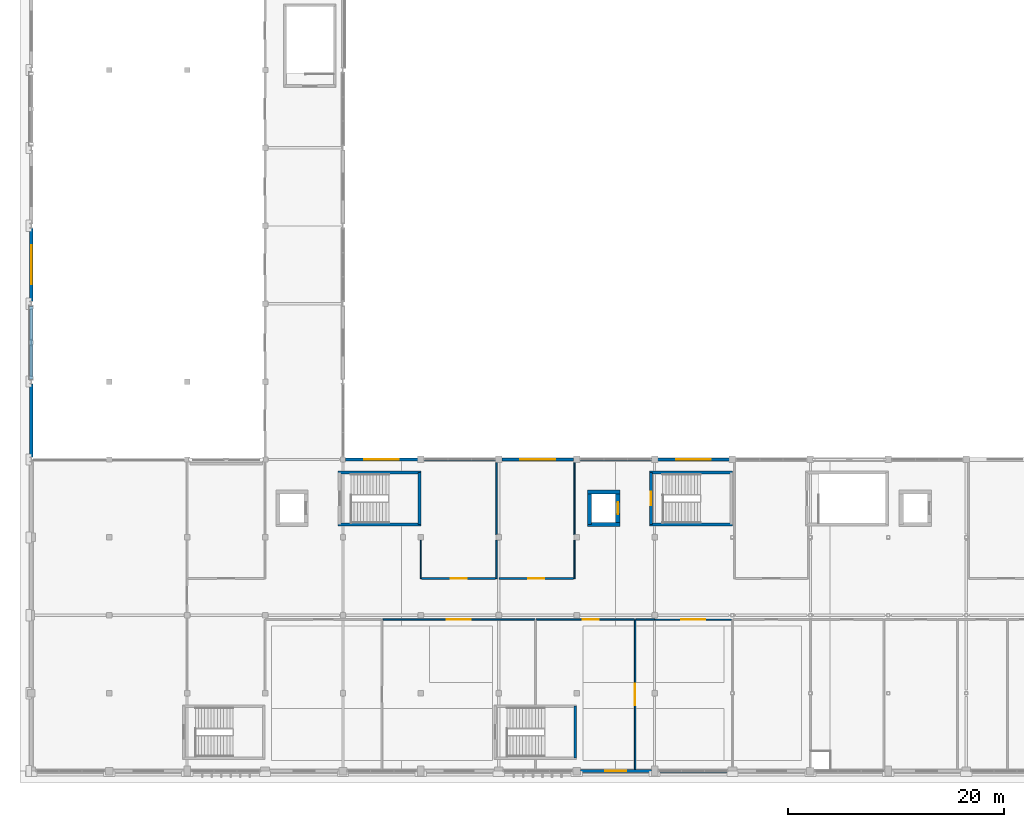
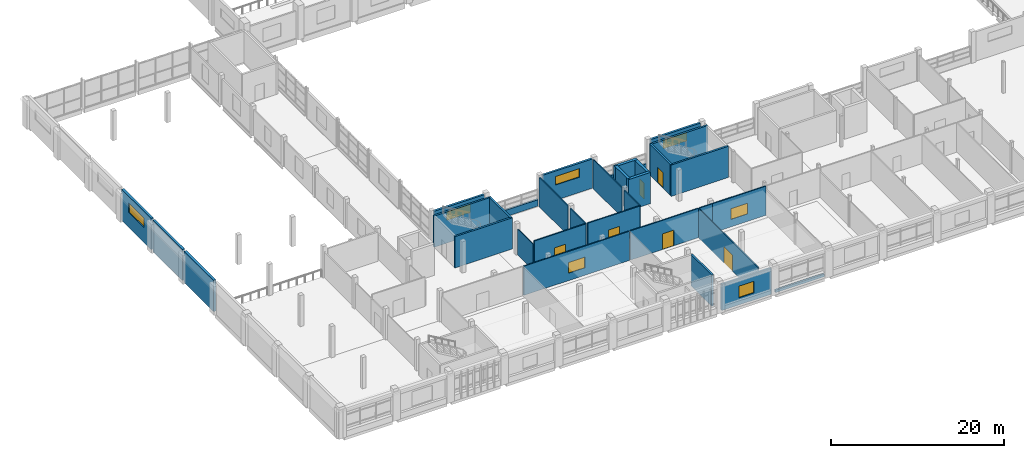
# One storey, part 48 of 71: 33 walls, 7 windows, 6 doors, 13 openings.
"""IFC4 building model written with IfcOpenShell, lengths in metres."""

from ifc_helpers import new_model, si_unit, direction, frame, frame_2d, origin, place, context, subcontext, project, spatial, rectangle, extrude, material, layer, layer_set, type_object, element, fill, save


model = new_model("IFC4")

# Units and contexts
model_context = context("Model", 3, precision=1e-05, world=origin(), true_north=direction((0.0, 1.0)))
body_context = subcontext(model_context, "Body", "Model", "MODEL_VIEW")
ifc_project = project(units=[si_unit("LENGTHUNIT", "METRE"), si_unit("AREAUNIT", "SQUARE_METRE"), si_unit("VOLUMEUNIT", "CUBIC_METRE"), si_unit("PLANEANGLEUNIT", "RADIAN"), si_unit("MASSUNIT", "GRAM", prefix="KILO")], contexts=[model_context])

# Site, building, storey
site_placement = place(None, origin())
site = spatial("IfcSite", under=ifc_project, at=site_placement, CompositionType="ELEMENT")
building_placement = place(site_placement, origin())
building = spatial("IfcBuilding", under=site, at=building_placement, Name="Sardonyx Promenade Sports Hall", CompositionType="ELEMENT")
storey_placement = place(building_placement, frame((0.0, 0.0, 16.0)))
storey = spatial("IfcBuildingStorey", under=building, at=storey_placement, Name="L03", CompositionType="ELEMENT", Elevation=16.0)

# Wall, opening, door
ifc_material_1 = material(Name="Concrete C40/50", Category="concrete")
ifc_layer_1 = layer(ifc_material_1, 0.3798828125)
ifc_layer_set_1 = layer_set([ifc_layer_1], Name="Wall_Core_Shear_380")
wall_type_1 = type_object("IfcWallType", Name="Wall_Core_Shear_380", PredefinedType="SHEAR", material=ifc_layer_set_1)
wall_1_placement = place(storey_placement, frame((54.199951171875, 22.800048828125, 0.0), z_axis=(0.0, 0.0, 1.0), x_axis=(0.0, 1.0, 0.0)))
wall_1 = element("IfcWall", 1, at=wall_1_placement, inside=storey, type_object=wall_type_1, Name="Lift shaft wall LF3 L03 E", PredefinedType="SHEAR", context=body_context, shape_type="SweptSolid", body=[
    extrude(rectangle(XDim=3.0, YDim=0.3798828125, at=frame_2d((1.5, 0.0))), origin(), (0.0, 0.0, 1.0), 4.39990234375),
])
opening_1_placement = place(wall_1_placement, frame((0.949951171875, 0.0, 0.0)))
opening_1 = element("IfcOpeningElement", 2, at=opening_1_placement, cuts=wall_1, Name="Opening LD01", PredefinedType="OPENING", context=body_context, shape_type="SweptSolid", body=[
    extrude(rectangle(XDim=1.10009765625, YDim=2.199951171875, at=frame_2d((0.550048828125, 1.10009765625))), frame((0.0, 0.2, 0.0), z_axis=(0.0, -1.0, 0.0), x_axis=(1.0, 0.0, 0.0)), (0.0, 0.0, 1.0), 0.4),
])
ifc_material_2 = material(Name="Fire-rated stainless steel sliding lift door", Category="steel")
door_type_1 = type_object("IfcDoorType", Name="Door_Lift_Pass_110x220", OperationType="NOTDEFINED", PredefinedType="DOOR", material=ifc_material_2)
door_1_placement = place(opening_1_placement, origin())
door_1 = element("IfcDoor", 3, at=door_1_placement, inside=storey, type_object=door_type_1, Name="Lift landing sliding door LD-LF3-L03", OperationType="SLIDING_TO_LEFT", OverallHeight=2.199951171875, OverallWidth=1.10009765625, PredefinedType="DOOR", context=body_context, shape_type="SweptSolid", body=[
    extrude(rectangle(XDim=1.10009765625, YDim=2.199951171875, at=frame_2d((0.550048828125, 1.10009765625))), frame((0.0, 0.02490234375, 0.0), z_axis=(0.0, -1.0, 0.0), x_axis=(1.0, 0.0, 0.0)), (0.0, 0.0, 1.0), 0.050048828125),
])
fill(opening_1, door_1)

# Walls
wall_2_placement = place(storey_placement, frame((51.409912109375, 25.800048828125, 0.0), z_axis=(0.0, 0.0, 1.0), x_axis=(1.0, 0.0, 0.0)))
element("IfcWall", 4, at=wall_2_placement, inside=storey, type_object=wall_type_1, Name="Lift shaft wall LF3 L03 N", PredefinedType="SHEAR", context=body_context, shape_type="SweptSolid", body=[
    extrude(rectangle(XDim=2.97998046875, YDim=0.3798828125, at=frame_2d((1.489990234375, 0.0))), origin(), (0.0, 0.0, 1.0), 4.39990234375),
])
wall_3_placement = place(storey_placement, frame((51.60009765625, 25.800048828125, 0.0), z_axis=(0.0, 0.0, 1.0), x_axis=(0.0, -1.0, 0.0)))
element("IfcWall", 5, at=wall_3_placement, inside=storey, type_object=wall_type_1, Name="Lift shaft wall LF3 L03 W", PredefinedType="SHEAR", context=body_context, shape_type="SweptSolid", body=[
    extrude(rectangle(XDim=3.0, YDim=0.3798828125, at=frame_2d((1.5, 0.0))), origin(), (0.0, 0.0, 1.0), 4.39990234375),
])
wall_4_placement = place(storey_placement, frame((54.389892578125, 22.800048828125, 0.0), z_axis=(0.0, 0.0, 1.0), x_axis=(-1.0, 0.0, 0.0)))
element("IfcWall", 6, at=wall_4_placement, inside=storey, type_object=wall_type_1, Name="Lift shaft wall LF3 L03 S", PredefinedType="SHEAR", context=body_context, shape_type="SweptSolid", body=[
    extrude(rectangle(XDim=2.97998046875, YDim=0.3798828125, at=frame_2d((1.489990234375, 0.0))), origin(), (0.0, 0.0, 1.0), 4.39990234375),
])
ifc_material_3 = material(Name="Concrete C40/50", Category="concrete")
ifc_layer_2 = layer(ifc_material_3, 0.320068359375)
ifc_layer_set_2 = layer_set([ifc_layer_2], Name="Wall_Ext_Court_320")
wall_type_2 = type_object("IfcWallType", Name="Wall_Ext_Court_320", PredefinedType="SOLIDWALL", material=ifc_layer_set_2)
for number, where, z_axis, x_axis, name in (
    (7, (0.0, 29.0048828125, 0.0), (0.0, 0.0, 1.0), (0.0, 1.0, 0.0), "Exterior wall EW01 L03 #162"),
    (8, (0.0, 36.205078125, 0.0), (0.0, 0.0, 1.0), (0.0, 1.0, 0.0), "Exterior wall EW01 L03 #163"),
):
    element("IfcWall", number, at=place(storey_placement, frame(where, z_axis=z_axis, x_axis=x_axis)), inside=storey, type_object=wall_type_2, Name=name, PredefinedType="SOLIDWALL", context=body_context, shape_type="SweptSolid", body=[
        extrude(rectangle(XDim=6.7900390625, YDim=0.320068359375, at=frame_2d((3.39501953125, 0.0))), origin(), (0.0, 0.0, 1.0), 4.39990234375),
    ])

# Wall, opening, window
wall_5_placement = place(storey_placement, frame((0.0, 43.405029296875, 0.0), z_axis=(0.0, 0.0, 1.0), x_axis=(0.0, 1.0, 0.0)))
wall_5 = element("IfcWall", 9, at=wall_5_placement, inside=storey, type_object=wall_type_2, Name="Exterior wall EW01 L03 #164", PredefinedType="SOLIDWALL", context=body_context, shape_type="SweptSolid", body=[
    extrude(rectangle(XDim=6.7900390625, YDim=0.320068359375, at=frame_2d((3.39501953125, 0.0))), origin(), (0.0, 0.0, 1.0), 4.39990234375),
])
opening_2_placement = place(wall_5_placement, frame((1.594970703125, 0.0, 2.10009765625)))
opening_2 = element("IfcOpeningElement", 10, at=opening_2_placement, cuts=wall_5, Name="Opening W17", PredefinedType="OPENING", context=body_context, shape_type="SweptSolid", body=[
    extrude(rectangle(XDim=3.60009765625, YDim=1.35009765625, at=frame_2d((1.800048828125, 0.675048828125))), frame((0.0, 0.17, 0.0), z_axis=(0.0, -1.0, 0.0), x_axis=(1.0, 0.0, 0.0)), (0.0, 0.0, 1.0), 0.34),
])
ifc_material_4 = material(Name="Double-glazed solar low-E aluminium window", Category="aluminium")
window_type_1 = type_object("IfcWindowType", Name="Win_Clerestory_360x135", PartitioningType="DOUBLE_PANEL_VERTICAL", PredefinedType="WINDOW", material=ifc_material_4)
window_1_placement = place(opening_2_placement, origin())
window_1 = element("IfcWindow", 11, at=window_1_placement, inside=storey, type_object=window_type_1, Name="Facade window W17 L03 #69", OverallHeight=1.35009765625, OverallWidth=3.60009765625, PartitioningType="SINGLE_PANEL", PredefinedType="WINDOW", context=body_context, shape_type="SweptSolid", body=[
    extrude(rectangle(XDim=3.60009765625, YDim=1.35009765625, at=frame_2d((1.800048828125, 0.675048828125))), frame((0.0, 0.030029296875, 0.0), z_axis=(0.0, -1.0, 0.0), x_axis=(1.0, 0.0, 0.0)), (0.0, 0.0, 1.0), 0.06005859375),
])
fill(opening_2, window_1)

# Walls
ifc_material_5 = material(Name="Masonry CMU 15 MPa", Category="masonry")
ifc_layer_3 = layer(ifc_material_5, 0.239990234375)
ifc_layer_set_3 = layer_set([ifc_layer_3], Name="Wall_Ext_Spandrel_240")
wall_type_3 = type_object("IfcWallType", Name="Wall_Ext_Spandrel_240", PredefinedType="SOLIDWALL", material=ifc_layer_set_3)
wall_6_placement = place(storey_placement, frame((64.4150390625, 0.0, 0.0), z_axis=(0.0, 0.0, 1.0), x_axis=(-1.0, 0.0, 0.0)))
element("IfcWall", 12, at=wall_6_placement, inside=storey, type_object=wall_type_3, Name="Curtain-wall sill spandrel L03 #83", PredefinedType="SOLIDWALL", context=body_context, shape_type="SweptSolid", body=[
    extrude(rectangle(XDim=6.530029296875, YDim=0.239990234375, at=frame_2d((3.26513671875, 0.0))), origin(), (0.0, 0.0, 1.0), 0.35009765625),
])
wall_7_placement = place(storey_placement, frame((36.284912109375, 28.800048828125, 0.0), z_axis=(0.0, 0.0, 1.0), x_axis=(1.0, 0.0, 0.0)))
element("IfcWall", 13, at=wall_7_placement, inside=storey, type_object=wall_type_3, Name="Curtain-wall sill spandrel L03 #255", PredefinedType="SOLIDWALL", context=body_context, shape_type="SweptSolid", body=[
    extrude(rectangle(XDim=6.630126953125, YDim=0.239990234375, at=frame_2d((3.31494140625, 0.0))), origin(), (0.0, 0.0, 1.0), 0.89990234375),
])
wall_8_placement = place(storey_placement, frame((50.68505859375, 28.800048828125, 0.0), z_axis=(0.0, 0.0, 1.0), x_axis=(1.0, 0.0, 0.0)))
element("IfcWall", 14, at=wall_8_placement, inside=storey, type_object=wall_type_3, Name="Curtain-wall sill spandrel L03 #257", PredefinedType="SOLIDWALL", context=body_context, shape_type="SweptSolid", body=[
    extrude(rectangle(XDim=6.6298828125, YDim=0.239990234375, at=frame_2d((3.31494140625, 0.0))), origin(), (0.0, 0.0, 1.0), 0.89990234375),
])

# Wall, opening, window
ifc_material_6 = material(Name="Concrete C40/50", Category="concrete")
ifc_layer_4 = layer(ifc_material_6, 0.280029296875)
ifc_layer_set_4 = layer_set([ifc_layer_4], Name="Wall_Ext_Wing_280")
wall_type_4 = type_object("IfcWallType", Name="Wall_Ext_Wing_280", PredefinedType="SOLIDWALL", material=ifc_layer_set_4)
wall_9_placement = place(storey_placement, frame((57.31494140625, 0.0, 0.0), z_axis=(0.0, 0.0, 1.0), x_axis=(-1.0, 0.0, 0.0)))
wall_9 = element("IfcWall", 15, at=wall_9_placement, inside=storey, type_object=wall_type_4, Name="Exterior wall EW02 L03 #84", PredefinedType="SOLIDWALL", context=body_context, shape_type="SweptSolid", body=[
    extrude(rectangle(XDim=6.579833984375, YDim=0.280029296875, at=frame_2d((3.2900390625, 0.0))), origin(), (0.0, 0.0, 1.0), 3.675048828125),
])
opening_3_placement = place(wall_9_placement, frame((2.31494140625, 0.0, 1.0)))
opening_3 = element("IfcOpeningElement", 16, at=opening_3_placement, cuts=wall_9, Name="Opening W11", PredefinedType="OPENING", context=body_context, shape_type="SweptSolid", body=[
    extrude(rectangle(XDim=1.949951171875, YDim=1.64990234375, at=frame_2d((0.97509765625, 0.824951171875))), frame((0.0, 0.15, 0.0), z_axis=(0.0, -1.0, 0.0), x_axis=(1.0, 0.0, 0.0)), (0.0, 0.0, 1.0), 0.3),
])
ifc_material_7 = material(Name="Double-glazed solar low-E aluminium window", Category="aluminium")
window_type_2 = type_object("IfcWindowType", Name="Win_Office_195x165", PartitioningType="DOUBLE_PANEL_VERTICAL", PredefinedType="WINDOW", material=ifc_material_7)
window_2_placement = place(opening_3_placement, origin())
window_2 = element("IfcWindow", 17, at=window_2_placement, inside=storey, type_object=window_type_2, Name="Facade window W11 L03 #34", OverallHeight=1.64990234375, OverallWidth=1.949951171875, PartitioningType="SINGLE_PANEL", PredefinedType="WINDOW", context=body_context, shape_type="SweptSolid", body=[
    extrude(rectangle(XDim=1.949951171875, YDim=1.64990234375, at=frame_2d((0.97509765625, 0.824951171875))), frame((0.0, 0.030029296875, 0.0), z_axis=(0.0, -1.0, 0.0), x_axis=(1.0, 0.0, 0.0)), (0.0, 0.0, 1.0), 0.06005859375),
])
fill(opening_3, window_2)

wall_10_placement = place(storey_placement, frame((29.034912109375, 28.800048828125, 0.0), z_axis=(0.0, 0.0, 1.0), x_axis=(1.0, 0.0, 0.0)))
wall_10 = element("IfcWall", 18, at=wall_10_placement, inside=storey, type_object=wall_type_4, Name="Exterior wall EW02 L03 #254", PredefinedType="SOLIDWALL", context=body_context, shape_type="SweptSolid", body=[
    extrude(rectangle(XDim=6.68017578125, YDim=0.280029296875, at=frame_2d((3.340087890625, 0.0))), origin(), (0.0, 0.0, 1.0), 4.1201171875),
])
opening_4_placement = place(wall_10_placement, frame((1.739990234375, 0.0, 2.14990234375)))
opening_4 = element("IfcOpeningElement", 19, at=opening_4_placement, cuts=wall_10, Name="Opening W22", PredefinedType="OPENING", context=body_context, shape_type="SweptSolid", body=[
    extrude(rectangle(XDim=3.199951171875, YDim=1.199951171875, at=frame_2d((1.60009765625, 0.60009765625))), frame((0.0, 0.15, 0.0), z_axis=(0.0, -1.0, 0.0), x_axis=(1.0, 0.0, 0.0)), (0.0, 0.0, 1.0), 0.3),
])
ifc_material_8 = material(Name="Double-glazed solar low-E aluminium window", Category="aluminium")
window_type_3 = type_object("IfcWindowType", Name="Win_Clerestory_320x120", PartitioningType="DOUBLE_PANEL_VERTICAL", PredefinedType="WINDOW", material=ifc_material_8)
window_3_placement = place(opening_4_placement, origin())
window_3 = element("IfcWindow", 20, at=window_3_placement, inside=storey, type_object=window_type_3, Name="Facade window W22 L03 #99", OverallHeight=1.199951171875, OverallWidth=3.199951171875, PartitioningType="SINGLE_PANEL", PredefinedType="WINDOW", context=body_context, shape_type="SweptSolid", body=[
    extrude(rectangle(XDim=3.199951171875, YDim=1.199951171875, at=frame_2d((1.60009765625, 0.60009765625))), frame((0.0, 0.030029296875, 0.0), z_axis=(0.0, -1.0, 0.0), x_axis=(1.0, 0.0, 0.0)), (0.0, 0.0, 1.0), 0.06005859375),
])
fill(opening_4, window_3)

wall_11_placement = place(storey_placement, frame((43.485107421875, 28.800048828125, 0.0), z_axis=(0.0, 0.0, 1.0), x_axis=(1.0, 0.0, 0.0)))
wall_11 = element("IfcWall", 21, at=wall_11_placement, inside=storey, type_object=wall_type_4, Name="Exterior wall EW02 L03 #256", PredefinedType="SOLIDWALL", context=body_context, shape_type="SweptSolid", body=[
    extrude(rectangle(XDim=6.6298828125, YDim=0.280029296875, at=frame_2d((3.31494140625, 0.0))), origin(), (0.0, 0.0, 1.0), 4.1201171875),
])
opening_5_placement = place(wall_11_placement, frame((1.715087890625, 0.0, 2.14990234375)))
opening_5 = element("IfcOpeningElement", 22, at=opening_5_placement, cuts=wall_11, Name="Opening W22", PredefinedType="OPENING", context=body_context, shape_type="SweptSolid", body=[
    extrude(rectangle(XDim=3.199951171875, YDim=1.199951171875, at=frame_2d((1.60009765625, 0.60009765625))), frame((0.0, 0.15, 0.0), z_axis=(0.0, -1.0, 0.0), x_axis=(1.0, 0.0, 0.0)), (0.0, 0.0, 1.0), 0.3),
])
window_4_placement = place(opening_5_placement, origin())
window_4 = element("IfcWindow", 23, at=window_4_placement, inside=storey, type_object=window_type_3, Name="Facade window W22 L03 #100", OverallHeight=1.199951171875, OverallWidth=3.199951171875, PartitioningType="SINGLE_PANEL", PredefinedType="WINDOW", context=body_context, shape_type="SweptSolid", body=[
    extrude(rectangle(XDim=3.199951171875, YDim=1.199951171875, at=frame_2d((1.60009765625, 0.60009765625))), frame((0.0, 0.030029296875, 0.0), z_axis=(0.0, -1.0, 0.0), x_axis=(1.0, 0.0, 0.0)), (0.0, 0.0, 1.0), 0.06005859375),
])
fill(opening_5, window_4)

wall_12_placement = place(storey_placement, frame((57.885009765625, 28.800048828125, 0.0), z_axis=(0.0, 0.0, 1.0), x_axis=(1.0, 0.0, 0.0)))
wall_12 = element("IfcWall", 24, at=wall_12_placement, inside=storey, type_object=wall_type_4, Name="Exterior wall EW02 L03 #258", PredefinedType="SOLIDWALL", context=body_context, shape_type="SweptSolid", body=[
    extrude(rectangle(XDim=6.6298828125, YDim=0.280029296875, at=frame_2d((3.31494140625, 0.0))), origin(), (0.0, 0.0, 1.0), 4.1201171875),
])
opening_6_placement = place(wall_12_placement, frame((1.715087890625, 0.0, 2.14990234375)))
opening_6 = element("IfcOpeningElement", 25, at=opening_6_placement, cuts=wall_12, Name="Opening W22", PredefinedType="OPENING", context=body_context, shape_type="SweptSolid", body=[
    extrude(rectangle(XDim=3.199951171875, YDim=1.199951171875, at=frame_2d((1.60009765625, 0.60009765625))), frame((0.0, 0.15, 0.0), z_axis=(0.0, -1.0, 0.0), x_axis=(1.0, 0.0, 0.0)), (0.0, 0.0, 1.0), 0.3),
])
window_5_placement = place(opening_6_placement, origin())
window_5 = element("IfcWindow", 26, at=window_5_placement, inside=storey, type_object=window_type_3, Name="Facade window W22 L03 #101", OverallHeight=1.199951171875, OverallWidth=3.199951171875, PartitioningType="SINGLE_PANEL", PredefinedType="WINDOW", context=body_context, shape_type="SweptSolid", body=[
    extrude(rectangle(XDim=3.199951171875, YDim=1.199951171875, at=frame_2d((1.60009765625, 0.60009765625))), frame((0.0, 0.030029296875, 0.0), z_axis=(0.0, -1.0, 0.0), x_axis=(1.0, 0.0, 0.0)), (0.0, 0.0, 1.0), 0.06005859375),
])
fill(opening_6, window_5)

# Wall, opening, door
ifc_material_9 = material(Name="Twin-stud acoustic gypsum partition", Category="gypsum")
ifc_layer_5 = layer(ifc_material_9, 0.169921875)
ifc_layer_set_5 = layer_set([ifc_layer_5], Name="Wall_Part_Acoust_170")
wall_type_5 = type_object("IfcWallType", Name="Wall_Part_Acoust_170", PredefinedType="PARTITIONING", material=ifc_layer_set_5)
wall_13_placement = place(storey_placement, frame((36.06005859375, 17.800048828125, 0.0), z_axis=(0.0, 0.0, 1.0), x_axis=(1.0, 0.0, 0.0)))
wall_13 = element("IfcWall", 27, at=wall_13_placement, inside=storey, type_object=wall_type_5, Name="Interior partition PW06 L03 #339", PredefinedType="PARTITIONING", context=body_context, shape_type="SweptSolid", body=[
    extrude(rectangle(XDim=6.85986328125, YDim=0.169921875, at=frame_2d((3.429931640625, 0.0))), origin(), (0.0, 0.0, 1.0), 4.110107421875),
])
opening_7_placement = place(wall_13_placement, frame((2.679931640625, 0.0, 0.0)))
opening_7 = element("IfcOpeningElement", 28, at=opening_7_placement, cuts=wall_13, Name="Opening ID10", PredefinedType="OPENING", context=body_context, shape_type="SweptSolid", body=[
    extrude(rectangle(XDim=1.5, YDim=2.199951171875, at=frame_2d((0.75, 1.10009765625))), frame((0.0, 0.095, 0.0), z_axis=(0.0, -1.0, 0.0), x_axis=(1.0, 0.0, 0.0)), (0.0, 0.0, 1.0), 0.19),
])
ifc_material_10 = material(Name="Double studio entrance fire door FD30S", Category="wood")
door_type_2 = type_object("IfcDoorType", Name="Door_Corr_FD30_150x220", OperationType="NOTDEFINED", PredefinedType="DOOR", material=ifc_material_10)
door_2_placement = place(opening_7_placement, origin())
door_2 = element("IfcDoor", 29, at=door_2_placement, inside=storey, type_object=door_type_2, Name="Interior door D03-107", OperationType="DOUBLE_DOOR_SINGLE_SWING", OverallHeight=2.199951171875, OverallWidth=1.5, PredefinedType="DOOR", context=body_context, shape_type="SweptSolid", body=[
    extrude(rectangle(XDim=1.5, YDim=2.199951171875, at=frame_2d((0.75, 1.10009765625))), frame((0.0, 0.02490234375, 0.0), z_axis=(0.0, -1.0, 0.0), x_axis=(1.0, 0.0, 0.0)), (0.0, 0.0, 1.0), 0.050048828125),
])
fill(opening_7, door_2)

wall_14_placement = place(storey_placement, frame((43.199951171875, 17.800048828125, 0.0), z_axis=(0.0, 0.0, 1.0), x_axis=(1.0, 0.0, 0.0)))
wall_14 = element("IfcWall", 30, at=wall_14_placement, inside=storey, type_object=wall_type_5, Name="Interior partition PW06 L03 #340", PredefinedType="PARTITIONING", context=body_context, shape_type="SweptSolid", body=[
    extrude(rectangle(XDim=6.925048828125, YDim=0.169921875, at=frame_2d((3.46240234375, 0.0))), origin(), (0.0, 0.0, 1.0), 4.110107421875),
])
opening_8_placement = place(wall_14_placement, frame((2.71240234375, 0.0, 0.0)))
opening_8 = element("IfcOpeningElement", 31, at=opening_8_placement, cuts=wall_14, Name="Opening ID10", PredefinedType="OPENING", context=body_context, shape_type="SweptSolid", body=[
    extrude(rectangle(XDim=1.5, YDim=2.199951171875, at=frame_2d((0.75, 1.10009765625))), frame((0.0, 0.095, 0.0), z_axis=(0.0, -1.0, 0.0), x_axis=(1.0, 0.0, 0.0)), (0.0, 0.0, 1.0), 0.19),
])
door_3_placement = place(opening_8_placement, origin())
door_3 = element("IfcDoor", 32, at=door_3_placement, inside=storey, type_object=door_type_2, Name="Interior door D03-108", OperationType="DOUBLE_DOOR_SINGLE_SWING", OverallHeight=2.199951171875, OverallWidth=1.5, PredefinedType="DOOR", context=body_context, shape_type="SweptSolid", body=[
    extrude(rectangle(XDim=1.5, YDim=2.199951171875, at=frame_2d((0.75, 1.10009765625))), frame((0.0, 0.02490234375, 0.0), z_axis=(0.0, -1.0, 0.0), x_axis=(1.0, 0.0, 0.0)), (0.0, 0.0, 1.0), 0.050048828125),
])
fill(opening_8, door_3)

# Wall, opening, window
ifc_material_11 = material(Name="Fire-rated stud gypsum partition", Category="gypsum")
ifc_layer_6 = layer(ifc_material_11, 0.14990234375)
ifc_layer_set_6 = layer_set([ifc_layer_6], Name="Wall_Part_Corridor_150")
wall_type_6 = type_object("IfcWallType", Name="Wall_Part_Corridor_150", PredefinedType="PARTITIONING", material=ifc_layer_set_6)
wall_15_placement = place(storey_placement, frame((32.47998046875, 14.0, 0.0), z_axis=(0.0, 0.0, 1.0), x_axis=(1.0, 0.0, 0.0)))
wall_15 = element("IfcWall", 33, at=wall_15_placement, inside=storey, type_object=wall_type_6, Name="Interior partition PW04 L03 #329", PredefinedType="PARTITIONING", context=body_context, shape_type="SweptSolid", body=[
    extrude(rectangle(XDim=14.044921875, YDim=0.14990234375, at=frame_2d((7.0224609375, 0.0))), origin(), (0.0, 0.0, 1.0), 4.110107421875),
])
opening_9_placement = place(wall_15_placement, frame((5.922607421875, 0.0, 1.050048828125)))
opening_9 = element("IfcOpeningElement", 34, at=opening_9_placement, cuts=wall_15, Name="Opening IW01", PredefinedType="OPENING", context=body_context, shape_type="SweptSolid", body=[
    extrude(rectangle(XDim=2.199951171875, YDim=1.5, at=frame_2d((1.10009765625, 0.75))), frame((0.0, 0.085, 0.0), z_axis=(0.0, -1.0, 0.0), x_axis=(1.0, 0.0, 0.0)), (0.0, 0.0, 1.0), 0.17),
])
ifc_material_12 = material(Name="Acoustic laminated sports viewing glazing EI 60", Category="glass")
window_type_4 = type_object("IfcWindowType", Name="IWin_Studio_220x150", PartitioningType="DOUBLE_PANEL_VERTICAL", PredefinedType="WINDOW", material=ifc_material_12)
window_6_placement = place(opening_9_placement, origin())
window_6 = element("IfcWindow", 35, at=window_6_placement, inside=storey, type_object=window_type_4, Name="Internal viewing window IW01 L03 #7", OverallHeight=1.5, OverallWidth=2.199951171875, PartitioningType="SINGLE_PANEL", PredefinedType="WINDOW", context=body_context, shape_type="SweptSolid", body=[
    extrude(rectangle(XDim=2.199951171875, YDim=1.5, at=frame_2d((1.10009765625, 0.75))), frame((0.0, 0.030029296875, 0.0), z_axis=(0.0, -1.0, 0.0), x_axis=(1.0, 0.0, 0.0)), (0.0, 0.0, 1.0), 0.06005859375),
])
fill(opening_9, window_6)

# Wall, opening, door
wall_16_placement = place(storey_placement, frame((46.675048828125, 14.0, 0.0), z_axis=(0.0, 0.0, 1.0), x_axis=(1.0, 0.0, 0.0)))
wall_16 = element("IfcWall", 36, at=wall_16_placement, inside=storey, type_object=wall_type_6, Name="Interior partition PW04 L03 #330", PredefinedType="PARTITIONING", context=body_context, shape_type="SweptSolid", body=[
    extrude(rectangle(XDim=9.050048828125, YDim=0.14990234375, at=frame_2d((4.52490234375, 0.0))), origin(), (0.0, 0.0, 1.0), 4.110107421875),
])
opening_10_placement = place(wall_16_placement, frame((4.27490234375, 0.0, 0.0)))
opening_10 = element("IfcOpeningElement", 37, at=opening_10_placement, cuts=wall_16, Name="Opening ID10", PredefinedType="OPENING", context=body_context, shape_type="SweptSolid", body=[
    extrude(rectangle(XDim=1.5, YDim=2.199951171875, at=frame_2d((0.75, 1.10009765625))), frame((0.0, 0.085, 0.0), z_axis=(0.0, -1.0, 0.0), x_axis=(1.0, 0.0, 0.0)), (0.0, 0.0, 1.0), 0.17),
])
door_4_placement = place(opening_10_placement, origin())
door_4 = element("IfcDoor", 38, at=door_4_placement, inside=storey, type_object=door_type_2, Name="Interior door D03-100", OperationType="DOUBLE_DOOR_SINGLE_SWING", OverallHeight=2.199951171875, OverallWidth=1.5, PredefinedType="DOOR", context=body_context, shape_type="SweptSolid", body=[
    extrude(rectangle(XDim=1.5, YDim=2.199951171875, at=frame_2d((0.75, 1.10009765625))), frame((0.0, 0.02490234375, 0.0), z_axis=(0.0, -1.0, 0.0), x_axis=(1.0, 0.0, 0.0)), (0.0, 0.0, 1.0), 0.050048828125),
])
fill(opening_10, door_4)

# Wall
wall_17_placement = place(storey_placement, frame((55.875, 14.0, 0.0), z_axis=(0.0, 0.0, 1.0), x_axis=(1.0, 0.0, 0.0)))
element("IfcWall", 39, at=wall_17_placement, inside=storey, type_object=wall_type_6, Name="Interior partition PW04 L03 #331", PredefinedType="PARTITIONING", context=body_context, shape_type="SweptSolid", body=[
    extrude(rectangle(XDim=1.72509765625, YDim=0.14990234375, at=frame_2d((0.862548828125, 0.0))), origin(), (0.0, 0.0, 1.0), 4.110107421875),
])

# Wall, opening, window
wall_18_placement = place(storey_placement, frame((57.610107421875, 14.0, 0.0), z_axis=(0.0, 0.0, 1.0), x_axis=(1.0, 0.0, 0.0)))
wall_18 = element("IfcWall", 40, at=wall_18_placement, inside=storey, type_object=wall_type_6, Name="Interior partition PW04 L03 #332", PredefinedType="PARTITIONING", context=body_context, shape_type="SweptSolid", body=[
    extrude(rectangle(XDim=7.119873046875, YDim=0.14990234375, at=frame_2d((3.56005859375, 0.0))), origin(), (0.0, 0.0, 1.0), 4.110107421875),
])
opening_11_placement = place(wall_18_placement, frame((2.4599609375, 0.0, 1.050048828125)))
opening_11 = element("IfcOpeningElement", 41, at=opening_11_placement, cuts=wall_18, Name="Opening IW01", PredefinedType="OPENING", context=body_context, shape_type="SweptSolid", body=[
    extrude(rectangle(XDim=2.199951171875, YDim=1.5, at=frame_2d((1.10009765625, 0.75))), frame((0.0, 0.085, 0.0), z_axis=(0.0, -1.0, 0.0), x_axis=(1.0, 0.0, 0.0)), (0.0, 0.0, 1.0), 0.17),
])
window_7_placement = place(opening_11_placement, origin())
window_7 = element("IfcWindow", 42, at=window_7_placement, inside=storey, type_object=window_type_4, Name="Internal viewing window IW01 L03 #8", OverallHeight=1.5, OverallWidth=2.199951171875, PartitioningType="SINGLE_PANEL", PredefinedType="WINDOW", context=body_context, shape_type="SweptSolid", body=[
    extrude(rectangle(XDim=2.199951171875, YDim=1.5, at=frame_2d((1.10009765625, 0.75))), frame((0.0, 0.030029296875, 0.0), z_axis=(0.0, -1.0, 0.0), x_axis=(1.0, 0.0, 0.0)), (0.0, 0.0, 1.0), 0.06005859375),
])
fill(opening_11, window_7)

# Wall
ifc_material_13 = material(Name="Lightweight steel-stud partition", Category="steel")
ifc_layer_7 = layer(ifc_material_13, 0.10009765625)
ifc_layer_set_7 = layer_set([ifc_layer_7], Name="Wall_Part_Light_100")
wall_type_7 = type_object("IfcWallType", Name="Wall_Part_Light_100", PredefinedType="PARTITIONING", material=ifc_layer_set_7)
wall_19_placement = place(storey_placement, frame((36.0, 17.800048828125, 0.0), z_axis=(0.0, 0.0, 1.0), x_axis=(0.0, 1.0, 0.0)))
element("IfcWall", 43, at=wall_19_placement, inside=storey, type_object=wall_type_7, Name="Interior partition PW01 L03 #315", PredefinedType="PARTITIONING", context=body_context, shape_type="SweptSolid", body=[
    extrude(rectangle(XDim=3.550048828125, YDim=0.10009765625, at=frame_2d((1.77490234375, 0.0))), origin(), (0.0, 0.0, 1.0), 3.610107421875),
])

# Wall, opening, door
ifc_material_14 = material(Name="Acoustic sports stud partition", Category="gypsum")
ifc_layer_8 = layer(ifc_material_14, 0.1298828125)
ifc_layer_set_8 = layer_set([ifc_layer_8], Name="Wall_Part_Studio_130")
wall_type_8 = type_object("IfcWallType", Name="Wall_Part_Studio_130", PredefinedType="PARTITIONING", material=ifc_layer_set_8)
wall_20_placement = place(storey_placement, frame((55.800048828125, 0.14990234375, 0.0), z_axis=(0.0, 0.0, 1.0), x_axis=(0.0, 1.0, 0.0)))
wall_20 = element("IfcWall", 44, at=wall_20_placement, inside=storey, type_object=wall_type_8, Name="Interior partition PW05 L03 #310", PredefinedType="PARTITIONING", context=body_context, shape_type="SweptSolid", body=[
    extrude(rectangle(XDim=13.85009765625, YDim=0.1298828125, at=frame_2d((6.925048828125, 0.0))), origin(), (0.0, 0.0, 1.0), 4.1201171875),
])
opening_12_placement = place(wall_20_placement, frame((5.925048828125, 0.0, 0.0)))
opening_12 = element("IfcOpeningElement", 45, at=opening_12_placement, cuts=wall_20, Name="Opening ID06", PredefinedType="OPENING", context=body_context, shape_type="SweptSolid", body=[
    extrude(rectangle(XDim=2.0, YDim=2.300048828125, at=frame_2d((1.0, 1.14990234375))), frame((0.0, 0.075, 0.0), z_axis=(0.0, -1.0, 0.0), x_axis=(1.0, 0.0, 0.0)), (0.0, 0.0, 1.0), 0.15),
])
ifc_material_15 = material(Name="Glazed studio acoustic double door", Category="aluminium")
door_type_3 = type_object("IfcDoorType", Name="Door_Suite_200x230", OperationType="NOTDEFINED", PredefinedType="DOOR", material=ifc_material_15)
door_5_placement = place(opening_12_placement, origin())
door_5 = element("IfcDoor", 46, at=door_5_placement, inside=storey, type_object=door_type_3, Name="Interior door D03-096", OperationType="DOUBLE_DOOR_SINGLE_SWING", OverallHeight=2.300048828125, OverallWidth=2.0, PredefinedType="DOOR", context=body_context, shape_type="SweptSolid", body=[
    extrude(rectangle(XDim=2.0, YDim=2.300048828125, at=frame_2d((1.0, 1.14990234375))), frame((0.0, 0.02490234375, 0.0), z_axis=(0.0, -1.0, 0.0), x_axis=(1.0, 0.0, 0.0)), (0.0, 0.0, 1.0), 0.050048828125),
])
fill(opening_12, door_5)

# Walls
wall_21_placement = place(storey_placement, frame((50.199951171875, 17.800048828125, 0.0), z_axis=(0.0, 0.0, 1.0), x_axis=(0.0, 1.0, 0.0)))
element("IfcWall", 47, at=wall_21_placement, inside=storey, type_object=wall_type_8, Name="Interior partition PW05 L03 #318", PredefinedType="PARTITIONING", context=body_context, shape_type="SweptSolid", body=[
    extrude(rectangle(XDim=3.550048828125, YDim=0.1298828125, at=frame_2d((1.77490234375, 0.0))), origin(), (0.0, 0.0, 1.0), 4.110107421875),
])
wall_22_placement = place(storey_placement, frame((50.199951171875, 21.85009765625, 0.0), z_axis=(0.0, 0.0, 1.0), x_axis=(0.0, 1.0, 0.0)))
element("IfcWall", 48, at=wall_22_placement, inside=storey, type_object=wall_type_8, Name="Interior partition PW05 L03 #319", PredefinedType="PARTITIONING", context=body_context, shape_type="SweptSolid", body=[
    extrude(rectangle(XDim=6.64990234375, YDim=0.1298828125, at=frame_2d((3.324951171875, 0.0))), origin(), (0.0, 0.0, 1.0), 4.1201171875),
])
ifc_material_16 = material(Name="Moisture-resistant masonry partition", Category="masonry")
ifc_layer_9 = layer(ifc_material_16, 0.139892578125)
ifc_layer_set_9 = layer_set([ifc_layer_9], Name="Wall_Part_Wet_140")
wall_type_9 = type_object("IfcWallType", Name="Wall_Part_Wet_140", PredefinedType="PARTITIONING", material=ifc_layer_set_9)
wall_23_placement = place(storey_placement, frame((43.0, 17.800048828125, 0.0), z_axis=(0.0, 0.0, 1.0), x_axis=(0.0, 1.0, 0.0)))
element("IfcWall", 49, at=wall_23_placement, inside=storey, type_object=wall_type_9, Name="Interior partition PW08 L03 #316", PredefinedType="PARTITIONING", context=body_context, shape_type="SweptSolid", body=[
    extrude(rectangle(XDim=3.550048828125, YDim=0.139892578125, at=frame_2d((1.77490234375, 0.0))), origin(), (0.0, 0.0, 1.0), 4.110107421875),
])
wall_24_placement = place(storey_placement, frame((43.0, 21.85009765625, 0.0), z_axis=(0.0, 0.0, 1.0), x_axis=(0.0, 1.0, 0.0)))
element("IfcWall", 50, at=wall_24_placement, inside=storey, type_object=wall_type_9, Name="Interior partition PW08 L03 #317", PredefinedType="PARTITIONING", context=body_context, shape_type="SweptSolid", body=[
    extrude(rectangle(XDim=6.64990234375, YDim=0.139892578125, at=frame_2d((3.324951171875, 0.0))), origin(), (0.0, 0.0, 1.0), 4.1201171875),
])
ifc_material_17 = material(Name="Concrete C40/50", Category="concrete")
ifc_layer_10 = layer(ifc_material_17, 0.25)
ifc_layer_set_10 = layer_set([ifc_layer_10], Name="Wall_Stair_Shear_250")
wall_type_10 = type_object("IfcWallType", Name="Wall_Stair_Shear_250", PredefinedType="SHEAR", material=ifc_layer_set_10)
wall_25_placement = place(storey_placement, frame((28.35009765625, 27.60009765625, 0.0), z_axis=(0.0, 0.0, 1.0), x_axis=(1.0, 0.0, 0.0)))
element("IfcWall", 51, at=wall_25_placement, inside=storey, type_object=wall_type_10, Name="Stair shaft wall ST1 L03 N", PredefinedType="SHEAR", context=body_context, shape_type="SweptSolid", body=[
    extrude(rectangle(XDim=7.64990234375, YDim=0.25, at=frame_2d((3.824951171875, 0.0))), origin(), (0.0, 0.0, 1.0), 4.39990234375),
])
wall_26_placement = place(storey_placement, frame((35.875, 27.60009765625, 0.0), z_axis=(0.0, 0.0, 1.0), x_axis=(0.0, -1.0, 0.0)))
element("IfcWall", 52, at=wall_26_placement, inside=storey, type_object=wall_type_10, Name="Stair shaft wall ST1 L03 E", PredefinedType="SHEAR", context=body_context, shape_type="SweptSolid", body=[
    extrude(rectangle(XDim=4.800048828125, YDim=0.25, at=frame_2d((2.39990234375, 0.0))), origin(), (0.0, 0.0, 1.0), 4.39990234375),
])
wall_27_placement = place(storey_placement, frame((36.0, 22.800048828125, 0.0), z_axis=(0.0, 0.0, 1.0), x_axis=(-1.0, 0.0, 0.0)))
element("IfcWall", 53, at=wall_27_placement, inside=storey, type_object=wall_type_10, Name="Stair shaft wall ST1 L03 S", PredefinedType="SHEAR", context=body_context, shape_type="SweptSolid", body=[
    extrude(rectangle(XDim=7.64990234375, YDim=0.25, at=frame_2d((3.824951171875, 0.0))), origin(), (0.0, 0.0, 1.0), 4.39990234375),
])

# Wall, opening, door
wall_28_placement = place(storey_placement, frame((57.27490234375, 22.800048828125, 0.0), z_axis=(0.0, 0.0, 1.0), x_axis=(0.0, 1.0, 0.0)))
wall_28 = element("IfcWall", 54, at=wall_28_placement, inside=storey, type_object=wall_type_10, Name="Stair shaft wall ST3 L03 entry", PredefinedType="SHEAR", context=body_context, shape_type="SweptSolid", body=[
    extrude(rectangle(XDim=4.800048828125, YDim=0.25, at=frame_2d((2.39990234375, 0.0))), origin(), (0.0, 0.0, 1.0), 4.39990234375),
])
opening_13_placement = place(wall_28_placement, frame((1.77490234375, 0.0, 0.0)))
opening_13 = element("IfcOpeningElement", 55, at=opening_13_placement, cuts=wall_28, Name="Opening ID13", PredefinedType="OPENING", context=body_context, shape_type="SweptSolid", body=[
    extrude(rectangle(XDim=1.25, YDim=2.199951171875, at=frame_2d((0.625, 1.10009765625))), frame((0.0, 0.135, 0.0), z_axis=(0.0, -1.0, 0.0), x_axis=(1.0, 0.0, 0.0)), (0.0, 0.0, 1.0), 0.27),
])
ifc_material_18 = material(Name="Solid-core hardwood fire door FD60S", Category="wood")
door_type_4 = type_object("IfcDoorType", Name="Door_Stair_FD60_125x220", OperationType="NOTDEFINED", PredefinedType="DOOR", material=ifc_material_18)
door_6_placement = place(opening_13_placement, origin())
door_6 = element("IfcDoor", 56, at=door_6_placement, inside=storey, type_object=door_type_4, Name="Protected stair door SD15 (ST3 L03)", OperationType="SINGLE_SWING_LEFT", OverallHeight=2.199951171875, OverallWidth=1.25, PredefinedType="DOOR", context=body_context, shape_type="SweptSolid", body=[
    extrude(rectangle(XDim=1.25, YDim=2.199951171875, at=frame_2d((0.625, 1.10009765625))), frame((0.0, 0.02490234375, 0.0), z_axis=(0.0, -1.0, 0.0), x_axis=(1.0, 0.0, 0.0)), (0.0, 0.0, 1.0), 0.050048828125),
])
fill(opening_13, door_6)

# Walls
for number, where, z_axis, x_axis, name in (
    (57, (57.14990234375, 27.60009765625, 0.0), (0.0, 0.0, 1.0), (1.0, 0.0, 0.0), "Stair shaft wall ST3 L03 N"),
    (58, (64.800048828125, 22.800048828125, 0.0), (0.0, 0.0, 1.0), (-1.0, 0.0, 0.0), "Stair shaft wall ST3 L03 S"),
):
    element("IfcWall", number, at=place(storey_placement, frame(where, z_axis=z_axis, x_axis=x_axis)), inside=storey, type_object=wall_type_10, Name=name, PredefinedType="SHEAR", context=body_context, shape_type="SweptSolid", body=[
        extrude(rectangle(XDim=7.650146484375, YDim=0.25, at=frame_2d((3.8251953125, 0.0))), origin(), (0.0, 0.0, 1.0), 4.39990234375),
    ])
wall_29_placement = place(storey_placement, frame((50.27490234375, 6.0, 0.0), z_axis=(0.0, 0.0, 1.0), x_axis=(0.0, -1.0, 0.0)))
element("IfcWall", 59, at=wall_29_placement, inside=storey, type_object=wall_type_10, Name="Stair shaft wall ST6 L03 E", PredefinedType="SHEAR", context=body_context, shape_type="SweptSolid", body=[
    extrude(rectangle(XDim=4.800048828125, YDim=0.25, at=frame_2d((2.39990234375, 0.0))), origin(), (0.0, 0.0, 1.0), 4.39990234375),
])

save(model, "model.ifc")
